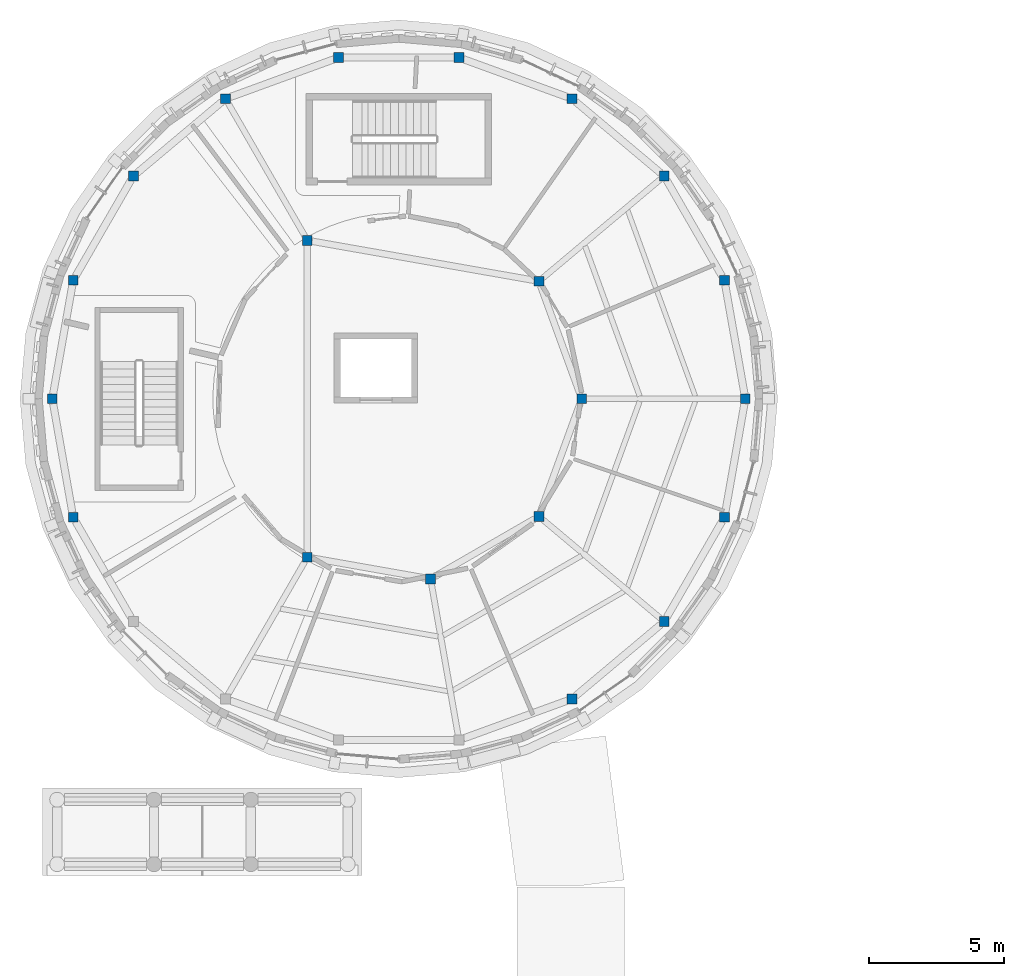
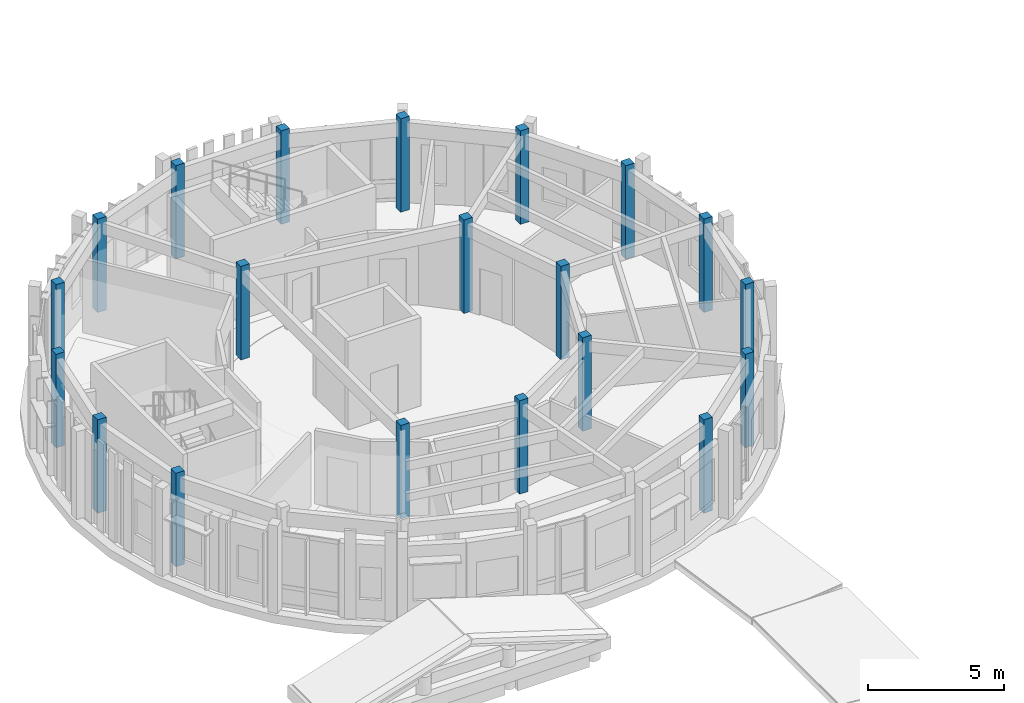
# One storey, part 2 of 58: 20 columns.
"""IFC4 building model written with IfcOpenShell, lengths in metres."""

import ifcopenshell
import ifcopenshell.guid

model = None  # the IFC model being written
_history = None  # IfcOwnerHistory: only IFC2X3 demands one
_inside = {}  # id of a spatial element -> (the spatial element, [elements in it])
_under = {}  # id of a project, library or spatial element -> (it, [spatial elements below it])
_declared = {}  # id of a project -> (the project, [libraries it declares])
_typed = {}  # id of a type object -> (the type object, [elements of that type])
_made_of = {}  # id of a material, layer set ... -> (it, [elements and type objects made of it])


def new_model(schema):
    """Start an empty IFC model of exactly this schema.

    Asked for "IFC4X3", IfcOpenShell would pick the latest addendum, in which some entities
    have other attributes; the version numbers below select the first issue.
    IFC2X3 requires an IfcOwnerHistory on every rooted entity: one is made here for all.
    """
    global model, _history
    if schema == "IFC4X3":
        model = ifcopenshell.file(schema_version=(4, 3, 0, 0))
    else:
        model = ifcopenshell.file(schema=schema)
    _inside.clear()
    _under.clear()
    _declared.clear()
    _typed.clear()
    _made_of.clear()
    _history = None
    if model.schema == "IFC2X3":
        org = make("IfcOrganization", Name="unknown")
        user = make(
            "IfcPersonAndOrganization",
            ThePerson=make("IfcPerson", FamilyName="unknown"),
            TheOrganization=org,
        )
        app = make(
            "IfcApplication",
            ApplicationDeveloper=org,
            Version="unknown",
            ApplicationFullName="unknown",
            ApplicationIdentifier="unknown",
        )
        _history = make(
            "IfcOwnerHistory",
            OwningUser=user,
            OwningApplication=app,
            ChangeAction="ADDED",
            CreationDate=0,
        )
    return model


def make(cls, **values):
    """One entity of the class cls with the attributes given. An attribute that is None is left unset."""
    return model.create_entity(
        cls, **{name: value for name, value in values.items() if value is not None}
    )


def rooted(cls, **values):
    """An entity with a GlobalId (a new one), such as an element, a storey or a relation."""
    return make(cls, GlobalId=ifcopenshell.guid.new(), OwnerHistory=_history, **values)


def si_unit(unit_type, name, prefix=None):
    """IfcSIUnit, for example si_unit("LENGTHUNIT", "METRE", prefix="MILLI")."""
    return make("IfcSIUnit", UnitType=unit_type, Prefix=prefix, Name=name)


def assignment(units):
    """IfcUnitAssignment: the units of a project."""
    return None if units is None else make("IfcUnitAssignment", Units=units)


def point(xyz):
    """IfcCartesianPoint."""
    return None if xyz is None else make("IfcCartesianPoint", Coordinates=xyz)


def direction(xyz):
    """IfcDirection."""
    return None if xyz is None else make("IfcDirection", DirectionRatios=xyz)


def frame(location, z_axis=None, x_axis=None):
    """IfcAxis2Placement3D, a coordinate frame: its origin and axes. An axis left out is left unset."""
    return make(
        "IfcAxis2Placement3D",
        Location=point(location),
        Axis=direction(z_axis),
        RefDirection=direction(x_axis),
    )


def frame_2d(location, x_axis=None):
    """IfcAxis2Placement2D, a coordinate frame in the plane: its origin and x axis."""
    return make(
        "IfcAxis2Placement2D", Location=point(location), RefDirection=direction(x_axis)
    )


def origin():
    """The frame at (0, 0, 0) with its axes left unset."""
    return frame((0.0, 0.0, 0.0))


def origin_2d():
    """The frame at (0, 0) in the plane with its x axis left unset."""
    return frame_2d((0.0, 0.0))


def place(relative_to, where):
    """IfcLocalPlacement: puts the frame where relative to a parent placement (None: the world)."""
    return make(
        "IfcLocalPlacement", PlacementRelTo=relative_to, RelativePlacement=where
    )


def context(
    kind, dimensions, precision=None, world=None, true_north=None, identifier=None
):
    """IfcGeometricRepresentationContext, for example the 3D "Model" context."""
    return make(
        "IfcGeometricRepresentationContext",
        ContextIdentifier=identifier,
        ContextType=kind,
        CoordinateSpaceDimension=dimensions,
        Precision=precision,
        WorldCoordinateSystem=world,
        TrueNorth=true_north,
    )


def subcontext(parent, identifier, kind, view, scale=None):
    """IfcGeometricRepresentationSubContext, for example "Body" below "Model"."""
    return make(
        "IfcGeometricRepresentationSubContext",
        ContextIdentifier=identifier,
        ContextType=kind,
        ParentContext=parent,
        TargetScale=scale,
        TargetView=view,
    )


def project(units=None, contexts=None):
    """IfcProject with its units and contexts."""
    return rooted(
        "IfcProject",
        Name="project",
        RepresentationContexts=contexts,
        UnitsInContext=assignment(units),
    )


def spatial(cls, under=None, at=None, **own):
    """A site, building, storey or space (cls), placed at a placement, below another one or the project."""
    s = rooted(cls, ObjectPlacement=at, **own)
    if under is not None:
        _under.setdefault(under.id(), (under, []))[1].append(s)
    return s


def profile(cls, at=None, kind="AREA", **sizes):
    """A parametric profile (cls). Its sizes go by their IFC names, for example OverallWidth=200.0."""
    return make(cls, ProfileType=kind, Position=at, **sizes)


def rectangle(**sizes):
    """IfcRectangleProfileDef."""
    return profile("IfcRectangleProfileDef", **sizes)


def extrude(swept, where, along, depth):
    """IfcExtrudedAreaSolid: the profile swept, set in the frame where, extruded along a direction by depth."""
    return make(
        "IfcExtrudedAreaSolid",
        SweptArea=swept,
        Position=where,
        ExtrudedDirection=direction(along),
        Depth=depth,
    )


def shape(context_of_items, identifier, shape_type, items):
    """IfcShapeRepresentation: the items that make up one representation, for example the "Body"."""
    return make(
        "IfcShapeRepresentation",
        ContextOfItems=context_of_items,
        RepresentationIdentifier=identifier,
        RepresentationType=shape_type,
        Items=items,
    )


def material(Name=None, Category=None):
    """IfcMaterial."""
    return make("IfcMaterial", Name=Name, Category=Category)


def material_profile(
    of_material, cross_section, Name=None, Category=None, Priority=None
):
    """IfcMaterialProfile: a cross section and its material."""
    return make(
        "IfcMaterialProfile",
        Name=Name,
        Material=of_material,
        Profile=cross_section,
        Priority=Priority,
        Category=Category,
    )


def profile_set(profiles, Name=None, composite=None):
    """IfcMaterialProfileSet."""
    return make(
        "IfcMaterialProfileSet",
        Name=Name,
        MaterialProfiles=profiles,
        CompositeProfile=composite,
    )


def made_of(thing, what):
    """Note that an element or type object is made of a material, layer set ...; save() writes the relation."""
    if what is not None:
        _made_of.setdefault(what.id(), (what, []))[1].append(thing)
    return thing


def type_object(cls, material=None, **own):
    """A type object (cls), such as IfcWallType, which elements share."""
    return made_of(rooted(cls, **own), material)


def element(
    cls,
    number,
    at=None,
    inside=None,
    cuts=None,
    type_object=None,
    material=None,
    context=None,
    identifier="Body",
    shape_type=None,
    held_by="IfcProductDefinitionShape",
    body=None,
    shapes=None,
    **own,
):
    """One element of the class cls, such as IfcWall. Its Tag is "e" and its number.

    at: its placement. inside: the storey or other place that contains it. cuts: it is an
    opening in that element (IfcRelVoidsElement). A single representation is given by context,
    identifier, shape_type and body (its items); several are given by shapes. held_by: the class
    of the entity that holds the representations. save() writes the other relations.
    """
    e = rooted(cls, Tag="e%d" % number, ObjectPlacement=at, **own)
    if body is not None:
        shapes = [shape(context, identifier, shape_type, body)]
    if shapes is not None:
        e.Representation = make(held_by, Representations=shapes)
    if inside is not None:
        _inside.setdefault(inside.id(), (inside, []))[1].append(e)
    if cuts is not None:
        rooted(
            "IfcRelVoidsElement", RelatingBuildingElement=cuts, RelatedOpeningElement=e
        )
    if type_object is not None:
        _typed.setdefault(type_object.id(), (type_object, []))[1].append(e)
    return made_of(e, material)


def aggregate(whole, parts):
    """IfcRelAggregates: a whole, such as a stair, and the parts it consists of."""
    return rooted("IfcRelAggregates", RelatingObject=whole, RelatedObjects=parts)


def save(model, path):
    """Write the relations noted so far, then the file.

    IfcRelAggregates (storeys below a building ...), IfcRelContainedInSpatialStructure (elements
    in a storey), IfcRelDefinesByType, IfcRelAssociatesMaterial and IfcRelDeclares: one each for
    every whole, place, type object, material and project.
    """
    for whole, parts in _under.values():
        aggregate(whole, parts)
    for where, things in _inside.values():
        rooted(
            "IfcRelContainedInSpatialStructure",
            RelatedElements=things,
            RelatingStructure=where,
        )
    for kind, things in _typed.values():
        rooted("IfcRelDefinesByType", RelatedObjects=things, RelatingType=kind)
    for what, things in _made_of.values():
        rooted("IfcRelAssociatesMaterial", RelatedObjects=things, RelatingMaterial=what)
    for by, libraries in _declared.values():
        rooted("IfcRelDeclares", RelatingContext=by, RelatedDefinitions=libraries)
    model.write(path)


model = new_model("IFC4")

# Units and contexts
model_context = context("Model", 3, precision=1e-05, world=origin(), true_north=direction((0.0, 1.0)))
body_context = subcontext(model_context, "Body", "Model", "MODEL_VIEW")
ifc_project = project(units=[si_unit("LENGTHUNIT", "METRE"), si_unit("AREAUNIT", "SQUARE_METRE"), si_unit("VOLUMEUNIT", "CUBIC_METRE"), si_unit("PLANEANGLEUNIT", "RADIAN"), si_unit("MASSUNIT", "GRAM", prefix="KILO")], contexts=[model_context])

# Site, building, storey
site_placement = place(None, origin())
site = spatial("IfcSite", under=ifc_project, at=site_placement, CompositionType="ELEMENT")
building_placement = place(site_placement, origin())
building = spatial("IfcBuilding", under=site, at=building_placement, Name="Aldenvaro Health Centre", CompositionType="ELEMENT")
storey_placement = place(building_placement, frame((0.0, 0.0, 8.75)))
storey = spatial("IfcBuildingStorey", under=building, at=storey_placement, Name="L02", CompositionType="ELEMENT", Elevation=8.75)

# Columns
ifc_material = material(Name="Glulam GL28h", Category="wood")
ifc_material_profile_1 = material_profile(ifc_material, rectangle(XDim=0.364990234375, YDim=0.364990234375, at=origin_2d()), Name="GL 365x365", Category="wood")
ifc_profile_set_1 = profile_set([ifc_material_profile_1], Name="Glulam GL28h")
column_type_1 = type_object("IfcColumnType", Name="COL-GL-365", PredefinedType="COLUMN", material=ifc_profile_set_1)
for number, where, z_axis, x_axis, name in (
    (1, (25.300048828125, 99.5, 0.0), (0.0, 0.0, 1.0), (1.0, 0.0, 0.0), "D4 L02 column IN-01"),
    (2, (23.708984375, 103.87109375, 0.0), (0.0, 0.0, 1.0), (1.0, 0.0, 0.0), "D4 L02 column IN-02"),
    (3, (15.10009765625, 105.388916015625, 0.0), (0.0, 0.0, 1.0), (1.0, 0.0, 0.0), "D4 L02 column IN-03"),
    (4, (15.10009765625, 93.611083984375, 0.0), (0.0, 0.0, 1.0), (1.0, 0.0, 0.0), "D4 L02 column IN-04"),
    (5, (19.680908203125, 92.802978515625, 0.0), (0.0, 0.0, 1.0), (1.0, 0.0, 0.0), "D4 L02 column IN-05"),
    (6, (23.708984375, 95.12890625, 0.0), (0.0, 0.0, 1.0), (1.0, 0.0, 0.0), "D4 L02 column IN-06"),
):
    element("IfcColumn", number, at=place(storey_placement, frame(where, z_axis=z_axis, x_axis=x_axis)), inside=storey, type_object=column_type_1, Name=name, PredefinedType="COLUMN", context=body_context, shape_type="SweptSolid", body=[
        extrude(rectangle(XDim=0.364990234375, YDim=0.364990234375, at=origin_2d()), origin(), (0.0, 0.0, 1.0), 4.199951171875),
    ])
ifc_material_profile_2 = material_profile(ifc_material, rectangle(XDim=0.364990234375, YDim=0.364990234375, at=origin_2d()), Name="GL 365x365", Category="wood")
ifc_profile_set_2 = profile_set([ifc_material_profile_2], Name="Glulam GL28h")
column_type_2 = type_object("IfcColumnType", Name="COL-GL-365E", PredefinedType="COLUMN", material=ifc_profile_set_2)
for number, where, z_axis, x_axis, name in (
    (7, (31.3798828125, 99.5, 0.0), (0.0, 0.0, 1.0), (1.0, 0.0, 0.0), "D4 L02 column OUT-01"),
    (8, (30.60302734375, 103.905029296875, 0.0), (0.0, 0.0, 1.0), (1.0, 0.0, 0.0), "D4 L02 column OUT-02"),
    (9, (28.366943359375, 107.779052734375, 0.0), (0.0, 0.0, 1.0), (1.0, 0.0, 0.0), "D4 L02 column OUT-03"),
    (10, (24.93994140625, 110.654052734375, 0.0), (0.0, 0.0, 1.0), (1.0, 0.0, 0.0), "D4 L02 column OUT-04"),
    (11, (20.737060546875, 112.18408203125, 0.0), (0.0, 0.0, 1.0), (1.0, 0.0, 0.0), "D4 L02 column OUT-05"),
    (12, (16.262939453125, 112.18408203125, 0.0), (0.0, 0.0, 1.0), (1.0, 0.0, 0.0), "D4 L02 column OUT-06"),
    (13, (12.06005859375, 110.654052734375, 0.0), (0.0, 0.0, 1.0), (1.0, 0.0, 0.0), "D4 L02 column OUT-07"),
    (14, (8.633056640625, 107.779052734375, 0.0), (0.0, 0.0, 1.0), (1.0, 0.0, 0.0), "D4 L02 column OUT-08"),
    (15, (6.39697265625, 103.905029296875, 0.0), (0.0, 0.0, 1.0), (1.0, 0.0, 0.0), "D4 L02 column OUT-09"),
    (16, (5.6201171875, 99.5, 0.0), (0.0, 0.0, 1.0), (1.0, 0.0, 0.0), "D4 L02 column OUT-10"),
    (17, (6.39697265625, 95.094970703125, 0.0), (0.0, 0.0, 1.0), (1.0, 0.0, 0.0), "D4 L02 column OUT-11"),
    (18, (24.93994140625, 88.345947265625, 0.0), (0.0, 0.0, 1.0), (1.0, 0.0, 0.0), "D4 L02 column OUT-16"),
    (19, (28.366943359375, 91.220947265625, 0.0), (0.0, 0.0, 1.0), (1.0, 0.0, 0.0), "D4 L02 column OUT-17"),
    (20, (30.60302734375, 95.094970703125, 0.0), (0.0, 0.0, 1.0), (1.0, 0.0, 0.0), "D4 L02 column OUT-18"),
):
    element("IfcColumn", number, at=place(storey_placement, frame(where, z_axis=z_axis, x_axis=x_axis)), inside=storey, type_object=column_type_2, Name=name, PredefinedType="COLUMN", context=body_context, shape_type="SweptSolid", body=[
        extrude(rectangle(XDim=0.364990234375, YDim=0.364990234375, at=origin_2d()), origin(), (0.0, 0.0, 1.0), 4.199951171875),
    ])

save(model, "model.ifc")
